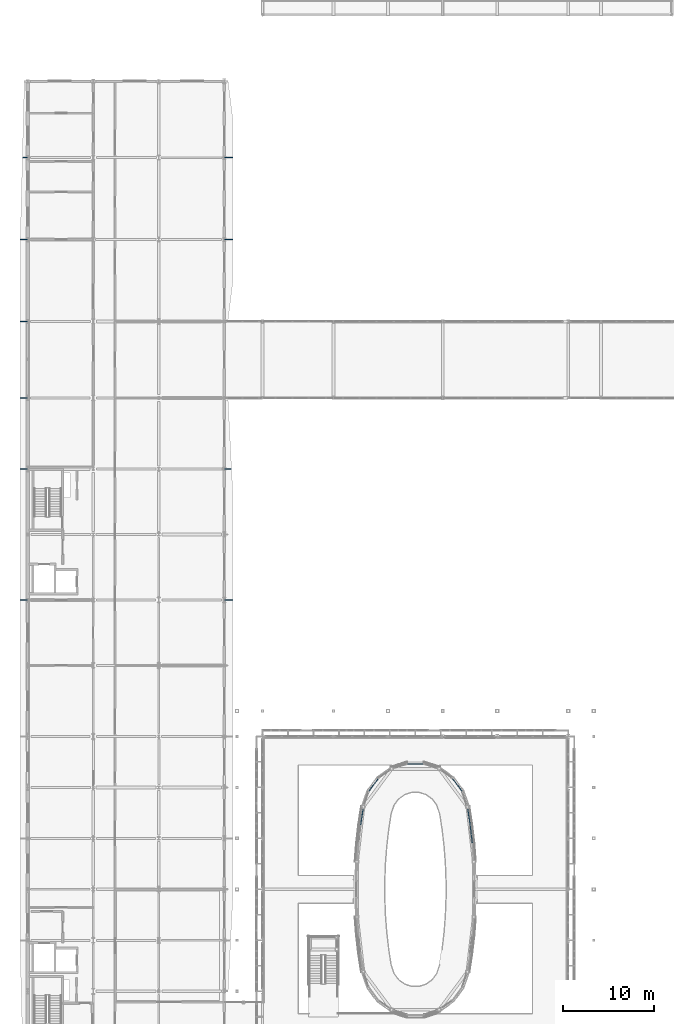
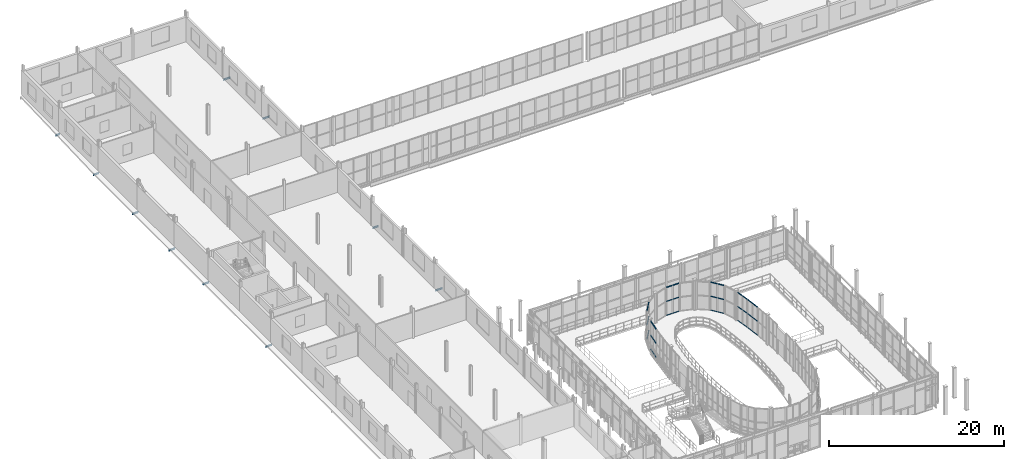
# One storey, part 91 of 138: 36 members, 10 beams, 6 elements without a shape of their own.
"""IFC4 building model written with IfcOpenShell, lengths in metres."""

from ifc_helpers import new_model, si_unit, direction, frame, origin, origin_2d, place, context, subcontext, project, spatial, hollow_rectangle, i_section, extrude, material, layer, layer_set, material_profile, profile_set, type_object, element, aggregate, save


model = new_model("IFC4")

# Units and contexts
model_context = context("Model", 3, precision=1e-05, world=origin(), true_north=direction((0.0, 1.0)))
body_context = subcontext(model_context, "Body", "Model", "MODEL_VIEW")
ifc_project = project(units=[si_unit("LENGTHUNIT", "METRE"), si_unit("AREAUNIT", "SQUARE_METRE"), si_unit("VOLUMEUNIT", "CUBIC_METRE"), si_unit("PLANEANGLEUNIT", "RADIAN"), si_unit("MASSUNIT", "GRAM", prefix="KILO")], contexts=[model_context])

# Site, building, storey
site_placement = place(None, origin())
site = spatial("IfcSite", under=ifc_project, at=site_placement, CompositionType="ELEMENT")
building_placement = place(site_placement, origin())
building = spatial("IfcBuilding", under=site, at=building_placement, Name="Vinh Khe Railworks Police Headquarters", CompositionType="ELEMENT")
storey_placement = place(building_placement, frame((0.0, 0.0, 9.0)))
storey = spatial("IfcBuildingStorey", under=building, at=storey_placement, Name="L02", CompositionType="ELEMENT", Elevation=9.0)

# Beams
ifc_material_1 = material(Name="Steel S355JR", Category="steel")
ifc_material_profile_1 = material_profile(ifc_material_1, i_section(OverallWidth=0.1201171875, OverallDepth=0.239990234375, WebThickness=0.006103515625, FlangeThickness=0.009765625, FilletRadius=0.014892578125, at=origin_2d()), Name="IPE 240")
ifc_profile_set_1 = profile_set([ifc_material_profile_1], Name="Steel S355JR")
beam_type = type_object("IfcBeamType", Name="Monsoon Hood Outrigger IPE 240", PredefinedType="BEAM", material=ifc_profile_set_1)
for number, where, z_axis, x_axis, name in (
    (1, (-0.25, 73.800048828125, -0.360107421875), (1.0, 0.0, 0.0), (0.0, 1.0, 0.0), "Monsoon Sun-Hood Outrigger L02-026"),
    (2, (-0.25, 88.199951171875, -0.360107421875), (1.0, 0.0, 0.0), (0.0, 1.0, 0.0), "Monsoon Sun-Hood Outrigger L02-027"),
    (3, (-0.25, 96.0, -0.360107421875), (1.0, 0.0, 0.0), (0.0, 1.0, 0.0), "Monsoon Sun-Hood Outrigger L02-028"),
    (4, (-0.25, 104.39990234375, -0.360107421875), (1.0, 0.0, 0.0), (0.0, 1.0, 0.0), "Monsoon Sun-Hood Outrigger L02-029"),
):
    element("IfcBeam", number, at=place(storey_placement, frame(where, z_axis=z_axis, x_axis=x_axis)), inside=storey, type_object=beam_type, Name=name, PredefinedType="BEAM", context=body_context, shape_type="SweptSolid", body=[
        extrude(i_section(OverallWidth=0.1201171875, OverallDepth=0.239990234375, WebThickness=0.006103515625, FlangeThickness=0.009765625, FilletRadius=0.014892578125, at=origin_2d()), origin(), (0.0, 0.0, 1.0), 0.85009765625),
    ])
beam_1_placement = place(storey_placement, frame((-0.231201171875, 113.39990234375, -0.360107421875), z_axis=(1.0, 0.0, 0.0), x_axis=(0.0, 1.0, 0.0)))
element("IfcBeam", 5, at=beam_1_placement, inside=storey, type_object=beam_type, Name="Monsoon Sun-Hood Outrigger L02-030", PredefinedType="BEAM", context=body_context, shape_type="SweptSolid", body=[
    extrude(i_section(OverallWidth=0.1201171875, OverallDepth=0.239990234375, WebThickness=0.006103515625, FlangeThickness=0.009765625, FilletRadius=0.014892578125, at=origin_2d()), origin(), (0.0, 0.0, 1.0), 0.831298828125),
])
beam_2_placement = place(storey_placement, frame((-0.002197265625, 122.39990234375, -0.360107421875), z_axis=(1.0, 0.0, 0.0), x_axis=(0.0, 1.0, 0.0)))
element("IfcBeam", 6, at=beam_2_placement, inside=storey, type_object=beam_type, Name="Monsoon Sun-Hood Outrigger L02-031", PredefinedType="BEAM", context=body_context, shape_type="SweptSolid", body=[
    extrude(i_section(OverallWidth=0.1201171875, OverallDepth=0.239990234375, WebThickness=0.006103515625, FlangeThickness=0.009765625, FilletRadius=0.014892578125, at=origin_2d()), origin(), (0.0, 0.0, 1.0), 0.602294921875),
])
beam_3_placement = place(storey_placement, frame((22.199951171875, 73.800048828125, -0.360107421875), z_axis=(1.0, 0.0, 0.0), x_axis=(0.0, 1.0, 0.0)))
element("IfcBeam", 7, at=beam_3_placement, inside=storey, type_object=beam_type, Name="Monsoon Sun-Hood Outrigger L02-036", PredefinedType="BEAM", context=body_context, shape_type="SweptSolid", body=[
    extrude(i_section(OverallWidth=0.1201171875, OverallDepth=0.239990234375, WebThickness=0.006103515625, FlangeThickness=0.009765625, FilletRadius=0.014892578125, at=origin_2d()), origin(), (0.0, 0.0, 1.0), 0.949951171875),
])
beam_4_placement = place(storey_placement, frame((22.199951171875, 88.199951171875, -0.360107421875), z_axis=(1.0, 0.0, 0.0), x_axis=(0.0, 1.0, 0.0)))
element("IfcBeam", 8, at=beam_4_placement, inside=storey, type_object=beam_type, Name="Monsoon Sun-Hood Outrigger L02-037", PredefinedType="BEAM", context=body_context, shape_type="SweptSolid", body=[
    extrude(i_section(OverallWidth=0.1201171875, OverallDepth=0.239990234375, WebThickness=0.006103515625, FlangeThickness=0.009765625, FilletRadius=0.014892578125, at=origin_2d()), origin(), (0.0, 0.0, 1.0), 0.808349609375),
])
for number, where, z_axis, x_axis, name in (
    (9, (22.199951171875, 113.39990234375, -0.360107421875), (1.0, 0.0, 0.0), (0.0, 1.0, 0.0), "Monsoon Sun-Hood Outrigger L02-038"),
    (10, (22.199951171875, 122.39990234375, -0.360107421875), (1.0, 0.0, 0.0), (0.0, 1.0, 0.0), "Monsoon Sun-Hood Outrigger L02-039"),
):
    element("IfcBeam", number, at=place(storey_placement, frame(where, z_axis=z_axis, x_axis=x_axis)), inside=storey, type_object=beam_type, Name=name, PredefinedType="BEAM", context=body_context, shape_type="SweptSolid", body=[
        extrude(i_section(OverallWidth=0.1201171875, OverallDepth=0.239990234375, WebThickness=0.006103515625, FlangeThickness=0.009765625, FilletRadius=0.014892578125, at=origin_2d()), origin(), (0.0, 0.0, 1.0), 0.949951171875),
    ])

# Curtain wall, members
ifc_material_2 = material(Name="Anodised aluminium and acoustic laminated glass", Category="aluminium")
ifc_layer = layer(ifc_material_2, 0.159912109375)
ifc_layer_set = layer_set([ifc_layer], Name="Anodised aluminium and acoustic laminated glass")
curtain_wall_type = type_object("IfcCurtainWallType", Name="CW-DRUM-CHORD", PredefinedType="USERDEFINED", material=ifc_layer_set)
curtain_wall_1_placement = place(storey_placement, origin())
curtain_wall_1 = element("IfcCurtainWall", 11, at=curtain_wall_1_placement, inside=storey, type_object=curtain_wall_type, Name="Elliptical Command Drum Glazing L02 Chord 8", ObjectType="DRUM FACADE GLAZING", PredefinedType="USERDEFINED")
ifc_material_3 = material(Name="Anodised aluminium 6063-T6", Category="aluminium")
ifc_material_profile_2 = material_profile(ifc_material_3, hollow_rectangle(XDim=0.06494140625, YDim=0.139892578125, WallThickness=0.00390625, at=origin_2d()), Name="CW-T 65x140x4")
ifc_profile_set_2 = profile_set([ifc_material_profile_2], Name="Anodised aluminium 6063-T6")
member_type = type_object("IfcMemberType", Name="TRAN-CWT-02", PredefinedType="USERDEFINED", material=ifc_profile_set_2)
member_1_placement = place(storey_placement, frame((49.44921875, 47.113037109375, 0.032470703125), z_axis=(-0.115415034378, 0.993317356055, 0.0), x_axis=(-0.993317356055, -0.115415034378, 0.0)))
member_1 = element("IfcMember", 12, at=member_1_placement, type_object=member_type, Name="CW-02 transom 1.1", ObjectType="TRANSOM", PredefinedType="USERDEFINED", context=body_context, shape_type="SweptSolid", body=[
    extrude(hollow_rectangle(XDim=0.06494140625, YDim=0.139892578125, WallThickness=0.00390625, at=origin_2d()), origin(), (0.0, 0.0, 1.0), 0.913818359375),
])
member_2_placement = place(storey_placement, frame((49.44921875, 47.113037109375, 1.985107421875), z_axis=(-0.115415034378, 0.993317356055, 0.0), x_axis=(-0.993317356055, -0.115415034378, 0.0)))
member_2 = element("IfcMember", 13, at=member_2_placement, type_object=member_type, Name="CW-02 transom 1.2", ObjectType="TRANSOM", PredefinedType="USERDEFINED", context=body_context, shape_type="SweptSolid", body=[
    extrude(hollow_rectangle(XDim=0.06494140625, YDim=0.139892578125, WallThickness=0.00390625, at=origin_2d()), origin(), (0.0, 0.0, 1.0), 0.913818359375),
])
member_3_placement = place(storey_placement, frame((49.44921875, 47.113037109375, 3.9375), z_axis=(-0.115415034378, 0.993317356055, 0.0), x_axis=(-0.993317356055, -0.115415034378, 0.0)))
member_3 = element("IfcMember", 14, at=member_3_placement, type_object=member_type, Name="CW-02 transom 1.3", ObjectType="TRANSOM", PredefinedType="USERDEFINED", context=body_context, shape_type="SweptSolid", body=[
    extrude(hollow_rectangle(XDim=0.06494140625, YDim=0.139892578125, WallThickness=0.00390625, at=origin_2d()), origin(), (0.0, 0.0, 1.0), 0.913818359375),
])
member_4_placement = place(storey_placement, frame((49.33642578125, 48.085205078125, 0.032470703125), z_axis=(-0.115415034378, 0.993317356055, 0.0), x_axis=(-0.993317356055, -0.115415034378, 0.0)))
member_4 = element("IfcMember", 15, at=member_4_placement, type_object=member_type, Name="CW-02 transom 2.1", ObjectType="TRANSOM", PredefinedType="USERDEFINED", context=body_context, shape_type="SweptSolid", body=[
    extrude(hollow_rectangle(XDim=0.06494140625, YDim=0.139892578125, WallThickness=0.00390625, at=origin_2d()), origin(), (0.0, 0.0, 1.0), 0.913818359375),
])
member_5_placement = place(storey_placement, frame((49.33642578125, 48.085205078125, 1.985107421875), z_axis=(-0.115415034378, 0.993317356055, 0.0), x_axis=(-0.993317356055, -0.115415034378, 0.0)))
member_5 = element("IfcMember", 16, at=member_5_placement, type_object=member_type, Name="CW-02 transom 2.2", ObjectType="TRANSOM", PredefinedType="USERDEFINED", context=body_context, shape_type="SweptSolid", body=[
    extrude(hollow_rectangle(XDim=0.06494140625, YDim=0.139892578125, WallThickness=0.00390625, at=origin_2d()), origin(), (0.0, 0.0, 1.0), 0.913818359375),
])
member_6_placement = place(storey_placement, frame((49.33642578125, 48.085205078125, 3.9375), z_axis=(-0.115415034378, 0.993317356055, 0.0), x_axis=(-0.993317356055, -0.115415034378, 0.0)))
member_6 = element("IfcMember", 17, at=member_6_placement, type_object=member_type, Name="CW-02 transom 2.3", ObjectType="TRANSOM", PredefinedType="USERDEFINED", context=body_context, shape_type="SweptSolid", body=[
    extrude(hollow_rectangle(XDim=0.06494140625, YDim=0.139892578125, WallThickness=0.00390625, at=origin_2d()), origin(), (0.0, 0.0, 1.0), 0.913818359375),
])
aggregate(curtain_wall_1, [member_1, member_2, member_3, member_4, member_5, member_6])

curtain_wall_2_placement = place(storey_placement, origin())
curtain_wall_2 = element("IfcCurtainWall", 18, at=curtain_wall_2_placement, inside=storey, type_object=curtain_wall_type, Name="Elliptical Command Drum Glazing L02 Chord 9", ObjectType="DRUM FACADE GLAZING", PredefinedType="USERDEFINED")
member_7_placement = place(storey_placement, frame((49.213623046875, 49.12158203125, 0.032470703125), z_axis=(-0.153700505555, 0.988117480157, 0.0), x_axis=(-0.988117480157, -0.153700505555, 0.0)))
member_7 = element("IfcMember", 19, at=member_7_placement, type_object=member_type, Name="CW-02 transom 1.1", ObjectType="TRANSOM", PredefinedType="USERDEFINED", context=body_context, shape_type="SweptSolid", body=[
    extrude(hollow_rectangle(XDim=0.06494140625, YDim=0.139892578125, WallThickness=0.00390625, at=origin_2d()), origin(), (0.0, 0.0, 1.0), 0.81494140625),
])
member_8_placement = place(storey_placement, frame((49.213623046875, 49.12158203125, 1.985107421875), z_axis=(-0.153700505555, 0.988117480157, 0.0), x_axis=(-0.988117480157, -0.153700505555, 0.0)))
member_8 = element("IfcMember", 20, at=member_8_placement, type_object=member_type, Name="CW-02 transom 1.2", ObjectType="TRANSOM", PredefinedType="USERDEFINED", context=body_context, shape_type="SweptSolid", body=[
    extrude(hollow_rectangle(XDim=0.06494140625, YDim=0.139892578125, WallThickness=0.00390625, at=origin_2d()), origin(), (0.0, 0.0, 1.0), 0.81494140625),
])
member_9_placement = place(storey_placement, frame((49.213623046875, 49.12158203125, 3.9375), z_axis=(-0.153700505555, 0.988117480157, 0.0), x_axis=(-0.988117480157, -0.153700505555, 0.0)))
member_9 = element("IfcMember", 21, at=member_9_placement, type_object=member_type, Name="CW-02 transom 1.3", ObjectType="TRANSOM", PredefinedType="USERDEFINED", context=body_context, shape_type="SweptSolid", body=[
    extrude(hollow_rectangle(XDim=0.06494140625, YDim=0.139892578125, WallThickness=0.00390625, at=origin_2d()), origin(), (0.0, 0.0, 1.0), 0.81494140625),
])
member_10_placement = place(storey_placement, frame((49.078369140625, 49.990966796875, 0.032470703125), z_axis=(-0.153407952205, 0.988162942131, 0.0), x_axis=(-0.988162942131, -0.153407952205, 0.0)))
member_10 = element("IfcMember", 22, at=member_10_placement, type_object=member_type, Name="CW-02 transom 2.1", ObjectType="TRANSOM", PredefinedType="USERDEFINED", context=body_context, shape_type="SweptSolid", body=[
    extrude(hollow_rectangle(XDim=0.06494140625, YDim=0.139892578125, WallThickness=0.00390625, at=origin_2d()), origin(), (0.0, 0.0, 1.0), 0.81494140625),
])
member_11_placement = place(storey_placement, frame((49.078369140625, 49.990966796875, 1.985107421875), z_axis=(-0.153407952205, 0.988162942131, 0.0), x_axis=(-0.988162942131, -0.153407952205, 0.0)))
member_11 = element("IfcMember", 23, at=member_11_placement, type_object=member_type, Name="CW-02 transom 2.2", ObjectType="TRANSOM", PredefinedType="USERDEFINED", context=body_context, shape_type="SweptSolid", body=[
    extrude(hollow_rectangle(XDim=0.06494140625, YDim=0.139892578125, WallThickness=0.00390625, at=origin_2d()), origin(), (0.0, 0.0, 1.0), 0.81494140625),
])
member_12_placement = place(storey_placement, frame((49.078369140625, 49.990966796875, 3.9375), z_axis=(-0.153407952205, 0.988162942131, 0.0), x_axis=(-0.988162942131, -0.153407952205, 0.0)))
member_12 = element("IfcMember", 24, at=member_12_placement, type_object=member_type, Name="CW-02 transom 2.3", ObjectType="TRANSOM", PredefinedType="USERDEFINED", context=body_context, shape_type="SweptSolid", body=[
    extrude(hollow_rectangle(XDim=0.06494140625, YDim=0.139892578125, WallThickness=0.00390625, at=origin_2d()), origin(), (0.0, 0.0, 1.0), 0.81494140625),
])
aggregate(curtain_wall_2, [member_7, member_8, member_9, member_10, member_11, member_12])

curtain_wall_3_placement = place(storey_placement, origin())
curtain_wall_3 = element("IfcCurtainWall", 25, at=curtain_wall_3_placement, inside=storey, type_object=curtain_wall_type, Name="Elliptical Command Drum Glazing L02 Chord 11", ObjectType="DRUM FACADE GLAZING", PredefinedType="USERDEFINED")
member_13_placement = place(storey_placement, frame((48.29541015625, 52.805908203125, 0.032470703125), z_axis=(-0.596672514384, 0.802484835108, 0.0), x_axis=(-0.802484835108, -0.596672514384, 0.0)))
member_13 = element("IfcMember", 26, at=member_13_placement, type_object=member_type, Name="CW-02 transom 1.1", ObjectType="TRANSOM", PredefinedType="USERDEFINED", context=body_context, shape_type="SweptSolid", body=[
    extrude(hollow_rectangle(XDim=0.06494140625, YDim=0.139892578125, WallThickness=0.00390625, at=origin_2d()), origin(), (0.0, 0.0, 1.0), 0.799560546875),
])
member_14_placement = place(storey_placement, frame((48.29541015625, 52.805908203125, 1.985107421875), z_axis=(-0.596672514384, 0.802484835108, 0.0), x_axis=(-0.802484835108, -0.596672514384, 0.0)))
member_14 = element("IfcMember", 27, at=member_14_placement, type_object=member_type, Name="CW-02 transom 1.2", ObjectType="TRANSOM", PredefinedType="USERDEFINED", context=body_context, shape_type="SweptSolid", body=[
    extrude(hollow_rectangle(XDim=0.06494140625, YDim=0.139892578125, WallThickness=0.00390625, at=origin_2d()), origin(), (0.0, 0.0, 1.0), 0.799560546875),
])
member_15_placement = place(storey_placement, frame((48.29541015625, 52.805908203125, 3.9375), z_axis=(-0.596672514384, 0.802484835108, 0.0), x_axis=(-0.802484835108, -0.596672514384, 0.0)))
member_15 = element("IfcMember", 28, at=member_15_placement, type_object=member_type, Name="CW-02 transom 1.3", ObjectType="TRANSOM", PredefinedType="USERDEFINED", context=body_context, shape_type="SweptSolid", body=[
    extrude(hollow_rectangle(XDim=0.06494140625, YDim=0.139892578125, WallThickness=0.00390625, at=origin_2d()), origin(), (0.0, 0.0, 1.0), 0.799560546875),
])
member_16_placement = place(storey_placement, frame((47.779541015625, 53.499755859375, 0.032470703125), z_axis=(-0.596475814623, 0.802631050091, 0.0), x_axis=(-0.802631050091, -0.596475814623, 0.0)))
member_16 = element("IfcMember", 29, at=member_16_placement, type_object=member_type, Name="CW-02 transom 2.1", ObjectType="TRANSOM", PredefinedType="USERDEFINED", context=body_context, shape_type="SweptSolid", body=[
    extrude(hollow_rectangle(XDim=0.06494140625, YDim=0.139892578125, WallThickness=0.00390625, at=origin_2d()), origin(), (0.0, 0.0, 1.0), 0.79931640625),
])
member_17_placement = place(storey_placement, frame((47.779541015625, 53.499755859375, 1.985107421875), z_axis=(-0.596475814623, 0.802631050091, 0.0), x_axis=(-0.802631050091, -0.596475814623, 0.0)))
member_17 = element("IfcMember", 30, at=member_17_placement, type_object=member_type, Name="CW-02 transom 2.2", ObjectType="TRANSOM", PredefinedType="USERDEFINED", context=body_context, shape_type="SweptSolid", body=[
    extrude(hollow_rectangle(XDim=0.06494140625, YDim=0.139892578125, WallThickness=0.00390625, at=origin_2d()), origin(), (0.0, 0.0, 1.0), 0.79931640625),
])
member_18_placement = place(storey_placement, frame((47.779541015625, 53.499755859375, 3.9375), z_axis=(-0.596475814623, 0.802631050091, 0.0), x_axis=(-0.802631050091, -0.596475814623, 0.0)))
member_18 = element("IfcMember", 31, at=member_18_placement, type_object=member_type, Name="CW-02 transom 2.3", ObjectType="TRANSOM", PredefinedType="USERDEFINED", context=body_context, shape_type="SweptSolid", body=[
    extrude(hollow_rectangle(XDim=0.06494140625, YDim=0.139892578125, WallThickness=0.00390625, at=origin_2d()), origin(), (0.0, 0.0, 1.0), 0.79931640625),
])
aggregate(curtain_wall_3, [member_13, member_14, member_15, member_16, member_17, member_18])

curtain_wall_4_placement = place(storey_placement, origin())
curtain_wall_4 = element("IfcCurtainWall", 32, at=curtain_wall_4_placement, inside=storey, type_object=curtain_wall_type, Name="Elliptical Command Drum Glazing L02 Chord 14", ObjectType="DRUM FACADE GLAZING", PredefinedType="USERDEFINED")
member_19_placement = place(storey_placement, frame((44.031982421875, 55.78564453125, 0.032470703125), z_axis=(-1.0, 0.0, 0.0), x_axis=(0.0, -1.0, 0.0)))
member_19 = element("IfcMember", 33, at=member_19_placement, type_object=member_type, Name="CW-02 transom 1.1", ObjectType="TRANSOM", PredefinedType="USERDEFINED", context=body_context, shape_type="SweptSolid", body=[
    extrude(hollow_rectangle(XDim=0.06494140625, YDim=0.139892578125, WallThickness=0.00390625, at=origin_2d()), origin(), (0.0, 0.0, 1.0), 0.799560546875),
])
member_20_placement = place(storey_placement, frame((44.031982421875, 55.78564453125, 1.985107421875), z_axis=(-1.0, 0.0, 0.0), x_axis=(0.0, -1.0, 0.0)))
member_20 = element("IfcMember", 34, at=member_20_placement, type_object=member_type, Name="CW-02 transom 1.2", ObjectType="TRANSOM", PredefinedType="USERDEFINED", context=body_context, shape_type="SweptSolid", body=[
    extrude(hollow_rectangle(XDim=0.06494140625, YDim=0.139892578125, WallThickness=0.00390625, at=origin_2d()), origin(), (0.0, 0.0, 1.0), 0.799560546875),
])
member_21_placement = place(storey_placement, frame((44.031982421875, 55.78564453125, 3.9375), z_axis=(-1.0, 0.0, 0.0), x_axis=(0.0, -1.0, 0.0)))
member_21 = element("IfcMember", 35, at=member_21_placement, type_object=member_type, Name="CW-02 transom 1.3", ObjectType="TRANSOM", PredefinedType="USERDEFINED", context=body_context, shape_type="SweptSolid", body=[
    extrude(hollow_rectangle(XDim=0.06494140625, YDim=0.139892578125, WallThickness=0.00390625, at=origin_2d()), origin(), (0.0, 0.0, 1.0), 0.799560546875),
])
member_22_placement = place(storey_placement, frame((43.16748046875, 55.78564453125, 0.032470703125), z_axis=(-1.0, 0.0, 0.0), x_axis=(0.0, -1.0, 0.0)))
member_22 = element("IfcMember", 36, at=member_22_placement, type_object=member_type, Name="CW-02 transom 2.1", ObjectType="TRANSOM", PredefinedType="USERDEFINED", context=body_context, shape_type="SweptSolid", body=[
    extrude(hollow_rectangle(XDim=0.06494140625, YDim=0.139892578125, WallThickness=0.00390625, at=origin_2d()), origin(), (0.0, 0.0, 1.0), 0.799560546875),
])
member_23_placement = place(storey_placement, frame((43.16748046875, 55.78564453125, 1.985107421875), z_axis=(-1.0, 0.0, 0.0), x_axis=(0.0, -1.0, 0.0)))
member_23 = element("IfcMember", 37, at=member_23_placement, type_object=member_type, Name="CW-02 transom 2.2", ObjectType="TRANSOM", PredefinedType="USERDEFINED", context=body_context, shape_type="SweptSolid", body=[
    extrude(hollow_rectangle(XDim=0.06494140625, YDim=0.139892578125, WallThickness=0.00390625, at=origin_2d()), origin(), (0.0, 0.0, 1.0), 0.799560546875),
])
member_24_placement = place(storey_placement, frame((43.16748046875, 55.78564453125, 3.9375), z_axis=(-1.0, 0.0, 0.0), x_axis=(0.0, -1.0, 0.0)))
member_24 = element("IfcMember", 38, at=member_24_placement, type_object=member_type, Name="CW-02 transom 2.3", ObjectType="TRANSOM", PredefinedType="USERDEFINED", context=body_context, shape_type="SweptSolid", body=[
    extrude(hollow_rectangle(XDim=0.06494140625, YDim=0.139892578125, WallThickness=0.00390625, at=origin_2d()), origin(), (0.0, 0.0, 1.0), 0.799560546875),
])
aggregate(curtain_wall_4, [member_19, member_20, member_21, member_22, member_23, member_24])

curtain_wall_5_placement = place(storey_placement, origin())
curtain_wall_5 = element("IfcCurtainWall", 39, at=curtain_wall_5_placement, inside=storey, type_object=curtain_wall_type, Name="Elliptical Command Drum Glazing L02 Chord 17", ObjectType="DRUM FACADE GLAZING", PredefinedType="USERDEFINED")
member_25_placement = place(storey_placement, frame((39.09716796875, 54.141357421875, 0.032470703125), z_axis=(-0.596475814623, -0.802631050091, 0.0), x_axis=(0.802631050091, -0.596475814623, 0.0)))
member_25 = element("IfcMember", 40, at=member_25_placement, type_object=member_type, Name="CW-02 transom 1.1", ObjectType="TRANSOM", PredefinedType="USERDEFINED", context=body_context, shape_type="SweptSolid", body=[
    extrude(hollow_rectangle(XDim=0.06494140625, YDim=0.139892578125, WallThickness=0.00390625, at=origin_2d()), origin(), (0.0, 0.0, 1.0), 0.79931640625),
])
member_26_placement = place(storey_placement, frame((39.09716796875, 54.141357421875, 1.985107421875), z_axis=(-0.596475814623, -0.802631050091, 0.0), x_axis=(0.802631050091, -0.596475814623, 0.0)))
member_26 = element("IfcMember", 41, at=member_26_placement, type_object=member_type, Name="CW-02 transom 1.2", ObjectType="TRANSOM", PredefinedType="USERDEFINED", context=body_context, shape_type="SweptSolid", body=[
    extrude(hollow_rectangle(XDim=0.06494140625, YDim=0.139892578125, WallThickness=0.00390625, at=origin_2d()), origin(), (0.0, 0.0, 1.0), 0.79931640625),
])
member_27_placement = place(storey_placement, frame((39.09716796875, 54.141357421875, 3.9375), z_axis=(-0.596475814623, -0.802631050091, 0.0), x_axis=(0.802631050091, -0.596475814623, 0.0)))
member_27 = element("IfcMember", 42, at=member_27_placement, type_object=member_type, Name="CW-02 transom 1.3", ObjectType="TRANSOM", PredefinedType="USERDEFINED", context=body_context, shape_type="SweptSolid", body=[
    extrude(hollow_rectangle(XDim=0.06494140625, YDim=0.139892578125, WallThickness=0.00390625, at=origin_2d()), origin(), (0.0, 0.0, 1.0), 0.79931640625),
])
member_28_placement = place(storey_placement, frame((38.58154296875, 53.447509765625, 0.032470703125), z_axis=(-0.596475814623, -0.802631050091, 0.0), x_axis=(0.802631050091, -0.596475814623, 0.0)))
member_28 = element("IfcMember", 43, at=member_28_placement, type_object=member_type, Name="CW-02 transom 2.1", ObjectType="TRANSOM", PredefinedType="USERDEFINED", context=body_context, shape_type="SweptSolid", body=[
    extrude(hollow_rectangle(XDim=0.06494140625, YDim=0.139892578125, WallThickness=0.00390625, at=origin_2d()), origin(), (0.0, 0.0, 1.0), 0.79931640625),
])
member_29_placement = place(storey_placement, frame((38.58154296875, 53.447509765625, 1.985107421875), z_axis=(-0.596475814623, -0.802631050091, 0.0), x_axis=(0.802631050091, -0.596475814623, 0.0)))
member_29 = element("IfcMember", 44, at=member_29_placement, type_object=member_type, Name="CW-02 transom 2.2", ObjectType="TRANSOM", PredefinedType="USERDEFINED", context=body_context, shape_type="SweptSolid", body=[
    extrude(hollow_rectangle(XDim=0.06494140625, YDim=0.139892578125, WallThickness=0.00390625, at=origin_2d()), origin(), (0.0, 0.0, 1.0), 0.79931640625),
])
member_30_placement = place(storey_placement, frame((38.58154296875, 53.447509765625, 3.9375), z_axis=(-0.596475814623, -0.802631050091, 0.0), x_axis=(0.802631050091, -0.596475814623, 0.0)))
member_30 = element("IfcMember", 45, at=member_30_placement, type_object=member_type, Name="CW-02 transom 2.3", ObjectType="TRANSOM", PredefinedType="USERDEFINED", context=body_context, shape_type="SweptSolid", body=[
    extrude(hollow_rectangle(XDim=0.06494140625, YDim=0.139892578125, WallThickness=0.00390625, at=origin_2d()), origin(), (0.0, 0.0, 1.0), 0.79931640625),
])
aggregate(curtain_wall_5, [member_25, member_26, member_27, member_28, member_29, member_30])

curtain_wall_6_placement = place(storey_placement, origin())
curtain_wall_6 = element("IfcCurtainWall", 46, at=curtain_wall_6_placement, inside=storey, type_object=curtain_wall_type, Name="Elliptical Command Drum Glazing L02 Chord 19", ObjectType="DRUM FACADE GLAZING", PredefinedType="USERDEFINED")
member_31_placement = place(storey_placement, frame((37.446533203125, 50.796142578125, 0.032470703125), z_axis=(-0.153407952205, -0.988162942131, 0.0), x_axis=(0.988162942131, -0.153407952205, 0.0)))
member_31 = element("IfcMember", 47, at=member_31_placement, type_object=member_type, Name="CW-02 transom 1.1", ObjectType="TRANSOM", PredefinedType="USERDEFINED", context=body_context, shape_type="SweptSolid", body=[
    extrude(hollow_rectangle(XDim=0.06494140625, YDim=0.139892578125, WallThickness=0.00390625, at=origin_2d()), origin(), (0.0, 0.0, 1.0), 0.81494140625),
])
member_32_placement = place(storey_placement, frame((37.446533203125, 50.796142578125, 1.985107421875), z_axis=(-0.153407952205, -0.988162942131, 0.0), x_axis=(0.988162942131, -0.153407952205, 0.0)))
member_32 = element("IfcMember", 48, at=member_32_placement, type_object=member_type, Name="CW-02 transom 1.2", ObjectType="TRANSOM", PredefinedType="USERDEFINED", context=body_context, shape_type="SweptSolid", body=[
    extrude(hollow_rectangle(XDim=0.06494140625, YDim=0.139892578125, WallThickness=0.00390625, at=origin_2d()), origin(), (0.0, 0.0, 1.0), 0.81494140625),
])
member_33_placement = place(storey_placement, frame((37.446533203125, 50.796142578125, 3.9375), z_axis=(-0.153407952205, -0.988162942131, 0.0), x_axis=(0.988162942131, -0.153407952205, 0.0)))
member_33 = element("IfcMember", 49, at=member_33_placement, type_object=member_type, Name="CW-02 transom 1.3", ObjectType="TRANSOM", PredefinedType="USERDEFINED", context=body_context, shape_type="SweptSolid", body=[
    extrude(hollow_rectangle(XDim=0.06494140625, YDim=0.139892578125, WallThickness=0.00390625, at=origin_2d()), origin(), (0.0, 0.0, 1.0), 0.81494140625),
])
member_34_placement = place(storey_placement, frame((37.3115234375, 49.9267578125, 0.032470703125), z_axis=(-0.153407952205, -0.988162942131, 0.0), x_axis=(0.988162942131, -0.153407952205, 0.0)))
member_34 = element("IfcMember", 50, at=member_34_placement, type_object=member_type, Name="CW-02 transom 2.1", ObjectType="TRANSOM", PredefinedType="USERDEFINED", context=body_context, shape_type="SweptSolid", body=[
    extrude(hollow_rectangle(XDim=0.06494140625, YDim=0.139892578125, WallThickness=0.00390625, at=origin_2d()), origin(), (0.0, 0.0, 1.0), 0.81494140625),
])
member_35_placement = place(storey_placement, frame((37.3115234375, 49.9267578125, 1.985107421875), z_axis=(-0.153407952205, -0.988162942131, 0.0), x_axis=(0.988162942131, -0.153407952205, 0.0)))
member_35 = element("IfcMember", 51, at=member_35_placement, type_object=member_type, Name="CW-02 transom 2.2", ObjectType="TRANSOM", PredefinedType="USERDEFINED", context=body_context, shape_type="SweptSolid", body=[
    extrude(hollow_rectangle(XDim=0.06494140625, YDim=0.139892578125, WallThickness=0.00390625, at=origin_2d()), origin(), (0.0, 0.0, 1.0), 0.81494140625),
])
member_36_placement = place(storey_placement, frame((37.3115234375, 49.9267578125, 3.9375), z_axis=(-0.153407952205, -0.988162942131, 0.0), x_axis=(0.988162942131, -0.153407952205, 0.0)))
member_36 = element("IfcMember", 52, at=member_36_placement, type_object=member_type, Name="CW-02 transom 2.3", ObjectType="TRANSOM", PredefinedType="USERDEFINED", context=body_context, shape_type="SweptSolid", body=[
    extrude(hollow_rectangle(XDim=0.06494140625, YDim=0.139892578125, WallThickness=0.00390625, at=origin_2d()), origin(), (0.0, 0.0, 1.0), 0.81494140625),
])
aggregate(curtain_wall_6, [member_31, member_32, member_33, member_34, member_35, member_36])

save(model, "model.ifc")
